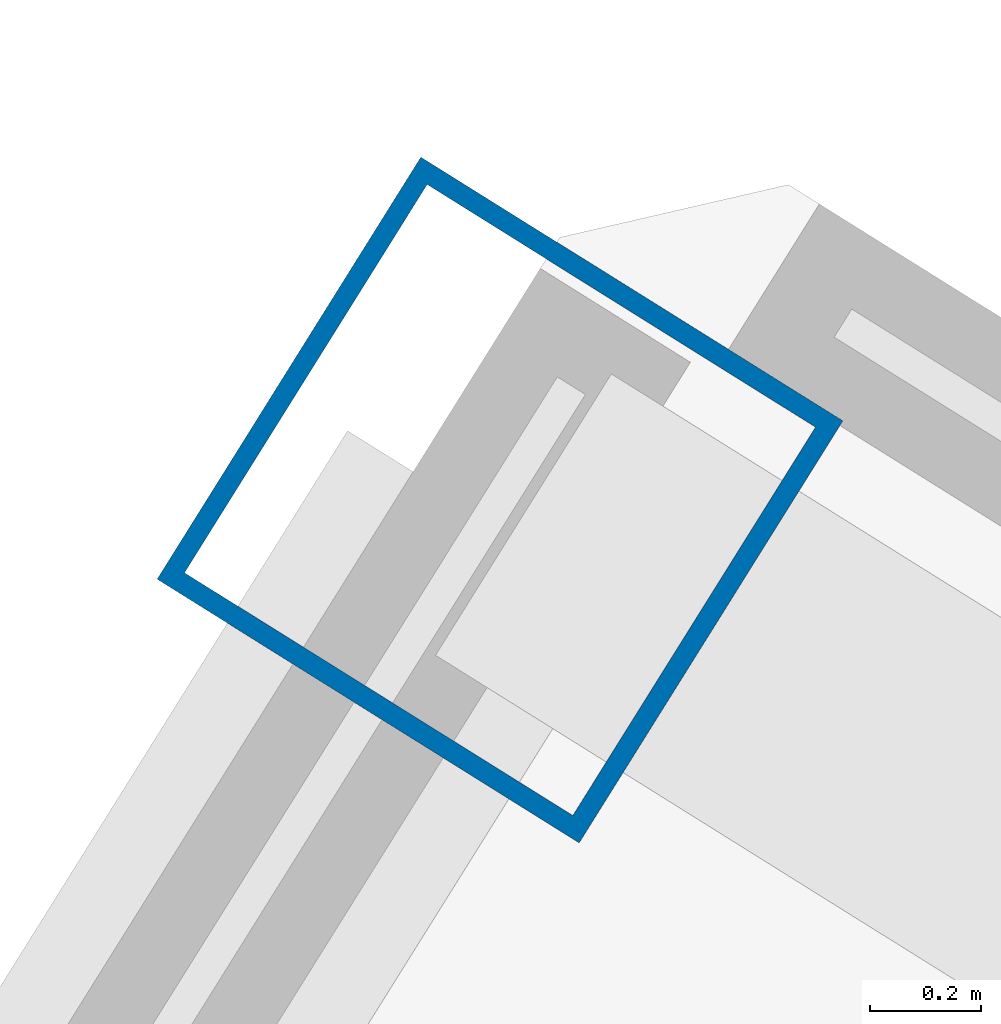
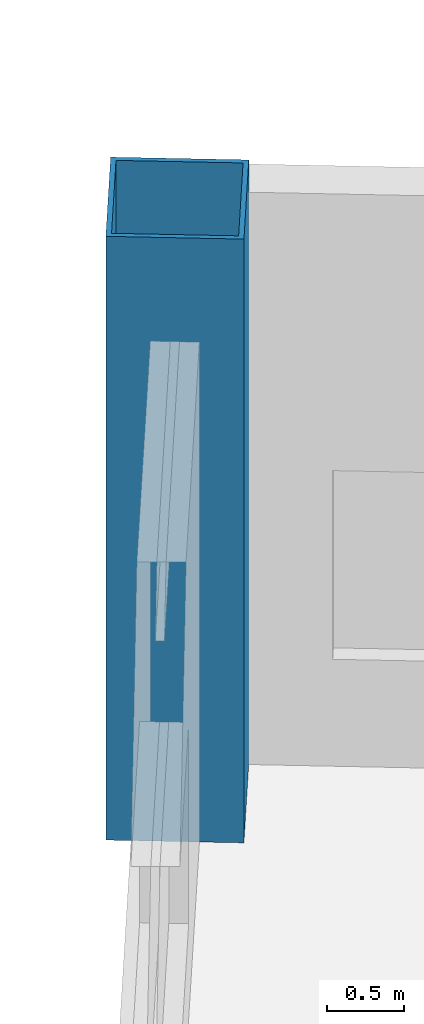
# One storey, part 3 of 22: 1 column.
"""IFC4 building model written with IfcOpenShell, lengths in metres."""

from ifc_helpers import new_model, si_unit, direction, frame, origin, origin_2d, place, context, subcontext, project, spatial, hollow_rectangle, extrude, source, transform, mapped, material, material_profile, profile_set, type_object, element, save


model = new_model("IFC4")

# Units and contexts
model_context = context("Model", 3, precision=1e-05, world=origin(), true_north=direction((0.0, 1.0)))
body_context = subcontext(model_context, "Body", "Model", "MODEL_VIEW")
ifc_project = project(units=[si_unit("LENGTHUNIT", "METRE"), si_unit("AREAUNIT", "SQUARE_METRE"), si_unit("VOLUMEUNIT", "CUBIC_METRE"), si_unit("PLANEANGLEUNIT", "RADIAN"), si_unit("MASSUNIT", "GRAM", prefix="KILO")], contexts=[model_context])

# Site, building, storey
site_placement = place(None, origin())
site = spatial("IfcSite", under=ifc_project, at=site_placement, CompositionType="ELEMENT")
building_placement = place(site_placement, origin())
building = spatial("IfcBuilding", under=site, at=building_placement, Name="Tlacorven Tower", CompositionType="ELEMENT")
storey_placement = place(building_placement, frame((0.0, 0.0, 127.800048828125)))
storey = spatial("IfcBuildingStorey", under=building, at=storey_placement, Name="L32", CompositionType="ELEMENT", Elevation=127.800048828125)

# Column
ifc_material = material(Name="Steel S460M", Category="steel")
ifc_material_profile = material_profile(ifc_material, hollow_rectangle(XDim=0.89990234375, YDim=0.89990234375, WallThickness=0.035888671875, at=origin_2d()), Name="BOX 900X900X36")
ifc_profile_set = profile_set([ifc_material_profile], Name="Steel S460M")
column_type = type_object("IfcColumnType", Name="COL-TWR-S2", PredefinedType="COLUMN", material=ifc_profile_set)
shared_shape = source(origin(), body_context, "Body", "SweptSolid", [
    extrude(hollow_rectangle(XDim=0.89990234375, YDim=0.89990234375, WallThickness=0.035888671875, at=origin_2d()), origin(), (0.0, 0.0, 1.0), 4.800048828125),
])
column_placement = place(storey_placement, frame((13.6455078125, 41.42578125, 0.0), z_axis=(0.0, 0.0, 1.0), x_axis=(-0.848048096156, 0.529919264233, 0.0)))
element("IfcColumn", 1, at=column_placement, inside=storey, type_object=column_type, Name="L32 column COL-L32-W6-1", PredefinedType="COLUMN", context=body_context, shape_type="MappedRepresentation", body=[
    mapped(shared_shape, transform((0.0, 0.0, 0.0), scale=1.0)),
])

save(model, "model.ifc")
